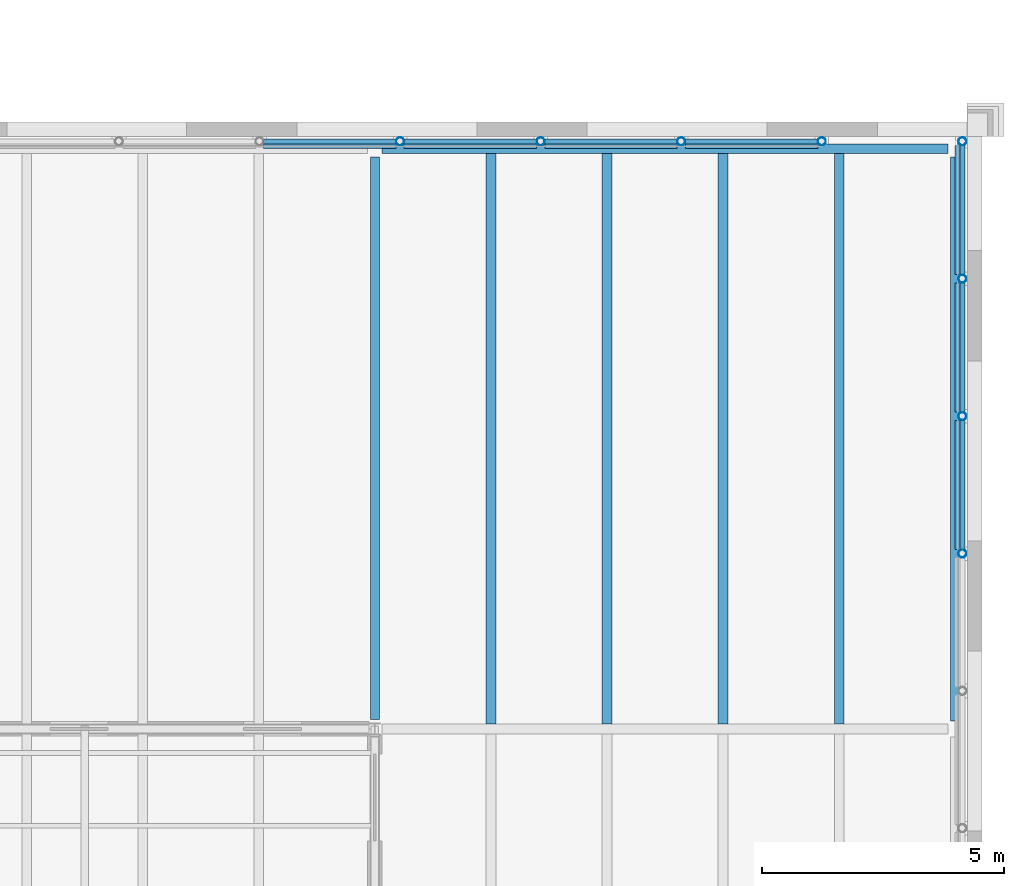
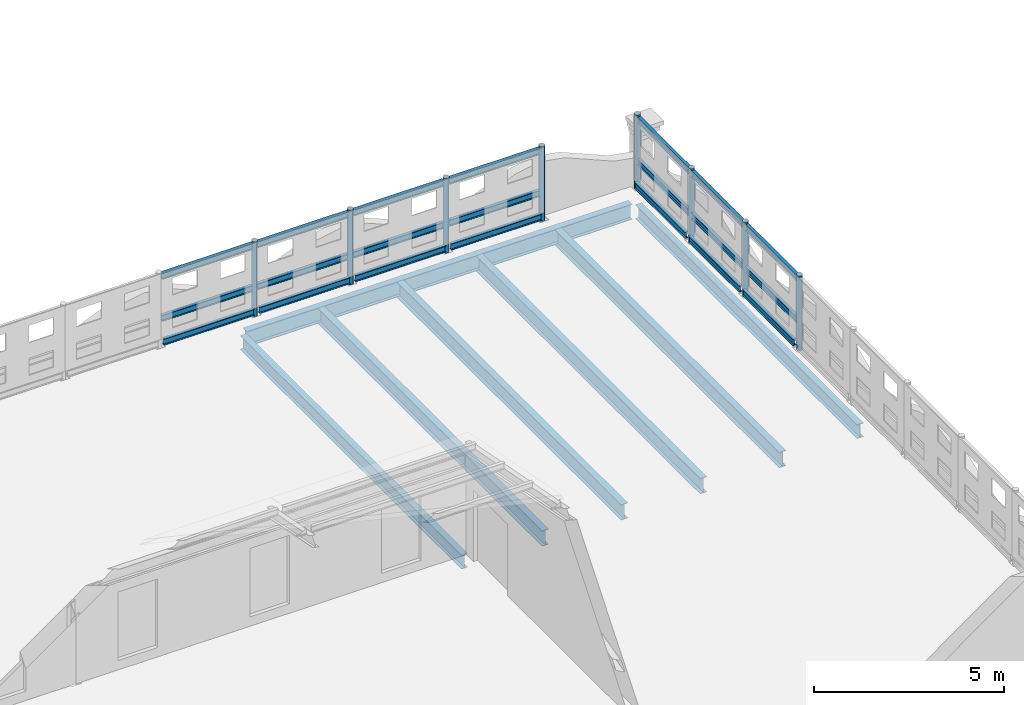
# One storey, part 48 of 91: 29 members, 7 beams.
"""IFC4 building model written with IfcOpenShell, lengths in metres."""

from ifc_helpers import new_model, si_unit, direction, frame, origin, origin_2d, place, context, subcontext, project, spatial, hollow_circle, i_section, extrude, material, material_profile, profile_set, type_object, element, save


model = new_model("IFC4")

# Units and contexts
model_context = context("Model", 3, precision=1e-05, world=origin(), true_north=direction((0.0, 1.0)))
body_context = subcontext(model_context, "Body", "Model", "MODEL_VIEW")
ifc_project = project(units=[si_unit("LENGTHUNIT", "METRE"), si_unit("AREAUNIT", "SQUARE_METRE"), si_unit("VOLUMEUNIT", "CUBIC_METRE"), si_unit("PLANEANGLEUNIT", "RADIAN"), si_unit("MASSUNIT", "GRAM", prefix="KILO")], contexts=[model_context])

# Site, building, storey
site_placement = place(None, origin())
site = spatial("IfcSite", under=ifc_project, at=site_placement, CompositionType="ELEMENT")
building_placement = place(site_placement, origin())
building = spatial("IfcBuilding", under=site, at=building_placement, Name="Ravi Spectrum Wholesale Market", CompositionType="ELEMENT")
storey_placement = place(building_placement, frame((0.0, 0.0, 16.199951171875)))
storey = spatial("IfcBuildingStorey", under=building, at=storey_placement, Name="ROOF PLANT LEVEL", CompositionType="ELEMENT", Elevation=16.199951171875)

# Members
ifc_material_1 = material(Name="Steel S355", Category="steel")
ifc_material_profile_1 = material_profile(ifc_material_1, hollow_circle(Radius=0.084228515625, WallThickness=0.00634765625, at=origin_2d()))
ifc_profile_set_1 = profile_set([ifc_material_profile_1], Name="Steel S355")
member_type_1 = type_object("IfcMemberType", Name="CHS 168.3x6.3 post", PredefinedType="POST", material=ifc_profile_set_1)
for number, where, z_axis, x_axis, name in (
    (1, (282.14990234375, 57.62646484375, 0.0), (0.0, 0.0, 1.0), (1.0, 0.0, 0.0), "CS-MB-ROOF-044"),
    (2, (282.14990234375, 60.467529296875, 0.0), (0.0, 0.0, 1.0), (1.0, 0.0, 0.0), "CS-MB-ROOF-045"),
    (3, (282.14990234375, 63.308837890625, 0.0), (0.0, 0.0, 1.0), (1.0, 0.0, 0.0), "CS-MB-ROOF-046"),
    (4, (282.14990234375, 66.14990234375, 0.0), (0.0, 0.0, 1.0), (1.0, 0.0, 0.0), "CS-MB-ROOF-047"),
    (5, (279.2431640625, 66.14990234375, 0.0), (0.0, 0.0, 1.0), (1.0, 0.0, 0.0), "CS-MB-ROOF-048"),
    (6, (276.336181640625, 66.14990234375, 0.0), (0.0, 0.0, 1.0), (1.0, 0.0, 0.0), "CS-MB-ROOF-049"),
    (7, (273.42919921875, 66.14990234375, 0.0), (0.0, 0.0, 1.0), (1.0, 0.0, 0.0), "CS-MB-ROOF-050"),
    (8, (270.5224609375, 66.14990234375, 0.0), (0.0, 0.0, 1.0), (1.0, 0.0, 0.0), "CS-MB-ROOF-051"),
):
    element("IfcMember", number, at=place(storey_placement, frame(where, z_axis=z_axis, x_axis=x_axis)), inside=storey, type_object=member_type_1, Name=name, PredefinedType="POST", context=body_context, shape_type="SweptSolid", body=[
        extrude(hollow_circle(Radius=0.084228515625, WallThickness=0.00634765625, at=origin_2d()), origin(), (0.0, 0.0, 1.0), 2.400146484375),
    ])
ifc_material_2 = material(Name="Steel S355", Category="steel")
ifc_material_profile_2 = material_profile(ifc_material_2, i_section(OverallWidth=0.10009765625, OverallDepth=0.199951171875, WebThickness=0.005615234375, FlangeThickness=0.008544921875, at=origin_2d()))
ifc_profile_set_2 = profile_set([ifc_material_profile_2], Name="Steel S355")
member_type_2 = type_object("IfcMemberType", Name="IPE 200 purlin", PredefinedType="PURLIN", material=ifc_profile_set_2)
for number, where, z_axis, x_axis, name in (
    (9, (282.14990234375, 57.710693359375, 0.900146484375), (0.0, 1.0, 0.0), (-1.0, 0.0, 0.0), "CS-MB-ROOF-219"),
    (10, (282.14990234375, 57.710693359375, 2.25), (0.0, 1.0, 0.0), (-1.0, 0.0, 0.0), "CS-MB-ROOF-220"),
    (11, (282.05078125, 57.710693359375, 0.199951171875), (0.0, 1.0, 0.0), (-1.0, 0.0, 0.0), "CS-MB-ROOF-221"),
    (12, (282.14990234375, 60.5517578125, 0.900146484375), (0.0, 1.0, 0.0), (-1.0, 0.0, 0.0), "CS-MB-ROOF-222"),
    (13, (282.14990234375, 60.5517578125, 2.25), (0.0, 1.0, 0.0), (-1.0, 0.0, 0.0), "CS-MB-ROOF-223"),
    (14, (282.05078125, 60.5517578125, 0.199951171875), (0.0, 1.0, 0.0), (-1.0, 0.0, 0.0), "CS-MB-ROOF-224"),
    (15, (282.14990234375, 63.39306640625, 0.900146484375), (0.0, 1.0, 0.0), (-1.0, 0.0, 0.0), "CS-MB-ROOF-225"),
    (16, (282.14990234375, 63.39306640625, 2.25), (0.0, 1.0, 0.0), (-1.0, 0.0, 0.0), "CS-MB-ROOF-226"),
    (17, (282.05078125, 63.39306640625, 0.199951171875), (0.0, 1.0, 0.0), (-1.0, 0.0, 0.0), "CS-MB-ROOF-227"),
):
    element("IfcMember", number, at=place(storey_placement, frame(where, z_axis=z_axis, x_axis=x_axis)), inside=storey, type_object=member_type_2, Name=name, PredefinedType="PURLIN", context=body_context, shape_type="SweptSolid", body=[
        extrude(i_section(OverallWidth=0.10009765625, OverallDepth=0.199951171875, WebThickness=0.005615234375, FlangeThickness=0.008544921875, at=origin_2d()), origin(), (0.0, 0.0, 1.0), 2.6728515625),
    ])
for number, where, z_axis, x_axis, name in (
    (18, (279.158935546875, 66.14990234375, 0.900146484375), (-1.0, 0.0, 0.0), (0.0, -1.0, 0.0), "CS-MB-ROOF-228"),
    (19, (279.158935546875, 66.14990234375, 2.25), (-1.0, 0.0, 0.0), (0.0, -1.0, 0.0), "CS-MB-ROOF-229"),
    (20, (279.158935546875, 66.05078125, 0.199951171875), (-1.0, 0.0, 0.0), (0.0, -1.0, 0.0), "CS-MB-ROOF-230"),
    (21, (276.251953125, 66.14990234375, 0.900146484375), (-1.0, 0.0, 0.0), (0.0, -1.0, 0.0), "CS-MB-ROOF-231"),
    (22, (276.251953125, 66.14990234375, 2.25), (-1.0, 0.0, 0.0), (0.0, -1.0, 0.0), "CS-MB-ROOF-232"),
    (23, (276.251953125, 66.05078125, 0.199951171875), (-1.0, 0.0, 0.0), (0.0, -1.0, 0.0), "CS-MB-ROOF-233"),
):
    element("IfcMember", number, at=place(storey_placement, frame(where, z_axis=z_axis, x_axis=x_axis)), inside=storey, type_object=member_type_2, Name=name, PredefinedType="PURLIN", context=body_context, shape_type="SweptSolid", body=[
        extrude(i_section(OverallWidth=0.10009765625, OverallDepth=0.199951171875, WebThickness=0.005615234375, FlangeThickness=0.008544921875, at=origin_2d()), origin(), (0.0, 0.0, 1.0), 2.738525390625),
    ])
for number, where, z_axis, x_axis, name in (
    (24, (273.34521484375, 66.14990234375, 0.900146484375), (-1.0, 0.0, 0.0), (0.0, -1.0, 0.0), "CS-MB-ROOF-234"),
    (25, (273.34521484375, 66.14990234375, 2.25), (-1.0, 0.0, 0.0), (0.0, -1.0, 0.0), "CS-MB-ROOF-235"),
    (26, (273.34521484375, 66.05078125, 0.199951171875), (-1.0, 0.0, 0.0), (0.0, -1.0, 0.0), "CS-MB-ROOF-236"),
):
    element("IfcMember", number, at=place(storey_placement, frame(where, z_axis=z_axis, x_axis=x_axis)), inside=storey, type_object=member_type_2, Name=name, PredefinedType="PURLIN", context=body_context, shape_type="SweptSolid", body=[
        extrude(i_section(OverallWidth=0.10009765625, OverallDepth=0.199951171875, WebThickness=0.005615234375, FlangeThickness=0.008544921875, at=origin_2d()), origin(), (0.0, 0.0, 1.0), 2.73876953125),
    ])
for number, where, z_axis, x_axis, name in (
    (27, (270.438232421875, 66.14990234375, 0.900146484375), (-1.0, 0.0, 0.0), (0.0, -1.0, 0.0), "CS-MB-ROOF-237"),
    (28, (270.438232421875, 66.14990234375, 2.25), (-1.0, 0.0, 0.0), (0.0, -1.0, 0.0), "CS-MB-ROOF-238"),
    (29, (270.438232421875, 66.05078125, 0.199951171875), (-1.0, 0.0, 0.0), (0.0, -1.0, 0.0), "CS-MB-ROOF-239"),
):
    element("IfcMember", number, at=place(storey_placement, frame(where, z_axis=z_axis, x_axis=x_axis)), inside=storey, type_object=member_type_2, Name=name, PredefinedType="PURLIN", context=body_context, shape_type="SweptSolid", body=[
        extrude(i_section(OverallWidth=0.10009765625, OverallDepth=0.199951171875, WebThickness=0.005615234375, FlangeThickness=0.008544921875, at=origin_2d()), origin(), (0.0, 0.0, 1.0), 2.738525390625),
    ])

# Beams
ifc_material_3 = material(Name="Steel S355", Category="steel")
ifc_material_profile_3 = material_profile(ifc_material_3, i_section(OverallWidth=0.18994140625, OverallDepth=0.449951171875, WebThickness=0.009521484375, FlangeThickness=0.0146484375, at=origin_2d()))
ifc_profile_set_3 = profile_set([ifc_material_profile_3], Name="Steel S355")
beam_type_1 = type_object("IfcBeamType", Name="IPE 450 girder", PredefinedType="BEAM", material=ifc_profile_set_3)
beam_1_placement = place(storey_placement, frame((270.0, 54.199951171875, -0.474853515625), z_axis=(0.0, 1.0, 0.0), x_axis=(-1.0, 0.0, 0.0)))
element("IfcBeam", 30, at=beam_1_placement, inside=storey, type_object=beam_type_1, Name="CS-BM-ROOF-063", PredefinedType="BEAM", context=body_context, shape_type="SweptSolid", body=[
    extrude(i_section(OverallWidth=0.18994140625, OverallDepth=0.449951171875, WebThickness=0.009521484375, FlangeThickness=0.0146484375, at=origin_2d()), origin(), (0.0, 0.0, 1.0), 11.630126953125),
])
beam_2_placement = place(storey_placement, frame((282.0, 54.169921875, -0.474853515625), z_axis=(0.0, 1.0, 0.0), x_axis=(-1.0, 0.0, 0.0)))
element("IfcBeam", 31, at=beam_2_placement, inside=storey, type_object=beam_type_1, Name="CS-BM-ROOF-067", PredefinedType="BEAM", context=body_context, shape_type="SweptSolid", body=[
    extrude(i_section(OverallWidth=0.18994140625, OverallDepth=0.449951171875, WebThickness=0.009521484375, FlangeThickness=0.0146484375, at=origin_2d()), origin(), (0.0, 0.0, 1.0), 11.66015625),
])
ifc_material_4 = material(Name="Steel S355", Category="steel")
ifc_material_profile_4 = material_profile(ifc_material_4, i_section(OverallWidth=0.199951171875, OverallDepth=0.5, WebThickness=0.01025390625, FlangeThickness=0.01611328125, at=origin_2d()))
ifc_profile_set_4 = profile_set([ifc_material_profile_4], Name="Steel S355")
beam_type_2 = type_object("IfcBeamType", Name="IPE 500 beam", PredefinedType="BEAM", material=ifc_profile_set_4)
beam_3_placement = place(storey_placement, frame((270.14990234375, 66.0, -0.5), z_axis=(1.0, 0.0, 0.0), x_axis=(0.0, 1.0, 0.0)))
element("IfcBeam", 32, at=beam_3_placement, inside=storey, type_object=beam_type_2, Name="CS-BM-ROOF-035", PredefinedType="BEAM", context=body_context, shape_type="SweptSolid", body=[
    extrude(i_section(OverallWidth=0.199951171875, OverallDepth=0.5, WebThickness=0.01025390625, FlangeThickness=0.01611328125, at=origin_2d()), origin(), (0.0, 0.0, 1.0), 11.7001953125),
])
for number, where, z_axis, x_axis, name in (
    (33, (272.39990234375, 54.10009765625, -0.5), (0.0, 1.0, 0.0), (-1.0, 0.0, 0.0), "CS-BM-ROOF-176"),
    (34, (274.800048828125, 54.10009765625, -0.5), (0.0, 1.0, 0.0), (-1.0, 0.0, 0.0), "CS-BM-ROOF-177"),
    (35, (277.199951171875, 54.10009765625, -0.5), (0.0, 1.0, 0.0), (-1.0, 0.0, 0.0), "CS-BM-ROOF-178"),
    (36, (279.60009765625, 54.10009765625, -0.5), (0.0, 1.0, 0.0), (-1.0, 0.0, 0.0), "CS-BM-ROOF-179"),
):
    element("IfcBeam", number, at=place(storey_placement, frame(where, z_axis=z_axis, x_axis=x_axis)), inside=storey, type_object=beam_type_2, Name=name, PredefinedType="BEAM", context=body_context, shape_type="SweptSolid", body=[
        extrude(i_section(OverallWidth=0.199951171875, OverallDepth=0.5, WebThickness=0.01025390625, FlangeThickness=0.01611328125, at=origin_2d()), origin(), (0.0, 0.0, 1.0), 11.7998046875),
    ])

save(model, "model.ifc")
